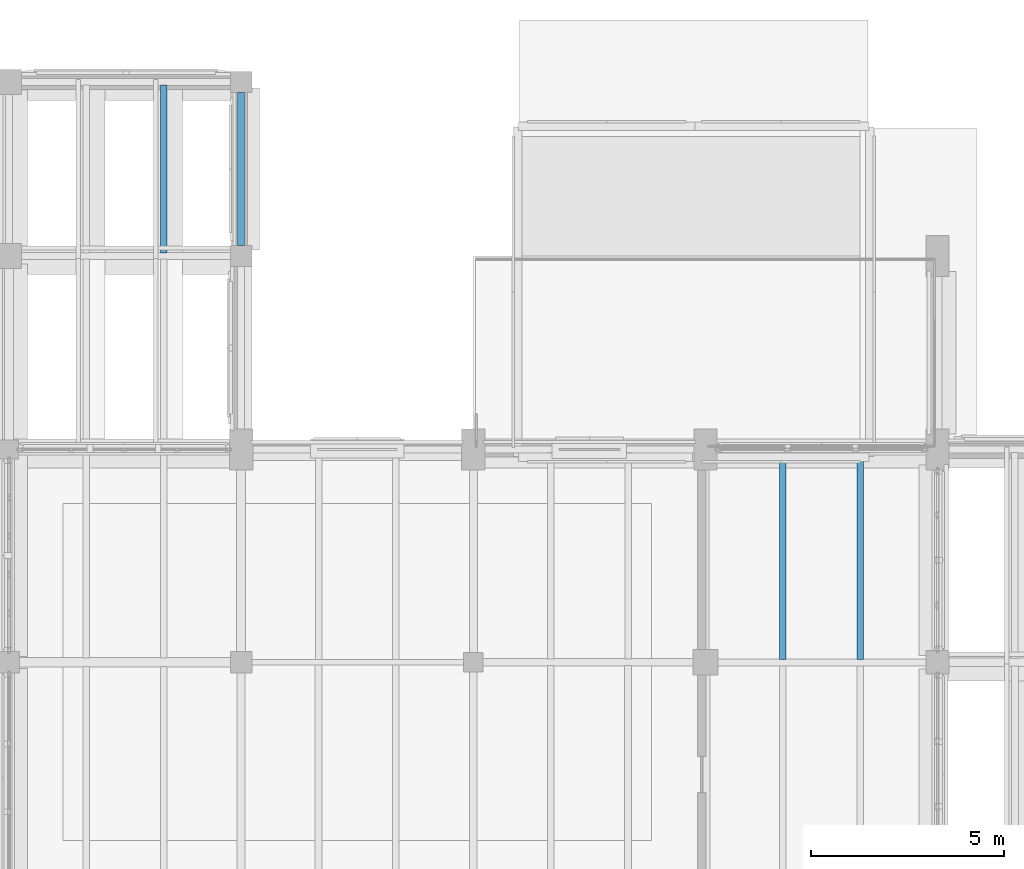
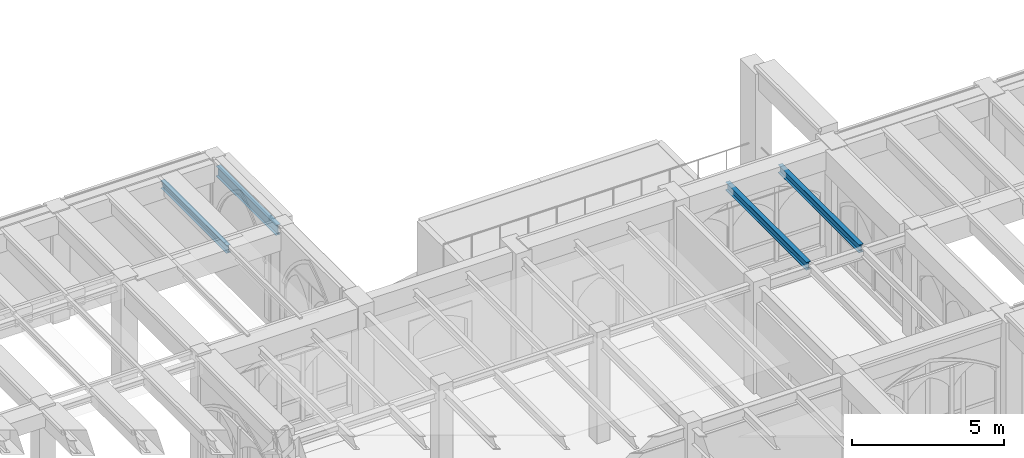
# One storey, part 57 of 127: 4 beams.
"""IFC4 building model written with IfcOpenShell, lengths in metres."""

from ifc_helpers import new_model, si_unit, direction, frame, origin, origin_2d, place, context, subcontext, project, spatial, i_section, extrude, material, material_profile, profile_set, type_object, element, save


model = new_model("IFC4")

# Units and contexts
model_context = context("Model", 3, precision=1e-05, world=origin(), true_north=direction((0.0, 1.0)))
body_context = subcontext(model_context, "Body", "Model", "MODEL_VIEW")
ifc_project = project(units=[si_unit("LENGTHUNIT", "METRE"), si_unit("AREAUNIT", "SQUARE_METRE"), si_unit("VOLUMEUNIT", "CUBIC_METRE"), si_unit("PLANEANGLEUNIT", "RADIAN"), si_unit("MASSUNIT", "GRAM", prefix="KILO")], contexts=[model_context])

# Site, building, storey
site_placement = place(None, origin())
site = spatial("IfcSite", under=ifc_project, at=site_placement, CompositionType="ELEMENT")
building_placement = place(site_placement, origin())
building = spatial("IfcBuilding", under=site, at=building_placement, Name="Cumevento Cable Car Station", CompositionType="ELEMENT")
storey_placement = place(building_placement, frame((0.0, 0.0, 4.5)))
storey = spatial("IfcBuildingStorey", under=building, at=storey_placement, Name="L02", CompositionType="ELEMENT", Elevation=4.5)

# Beams
ifc_material_1 = material(Name="Steel ASTM A572 Grade 50", Category="steel")
ifc_material_profile_1 = material_profile(ifc_material_1, i_section(OverallWidth=0.1669921875, OverallDepth=0.31689453125, WebThickness=0.007568359375, FlangeThickness=0.01318359375, at=origin_2d()), Name="W310x52.0")
ifc_profile_set_1 = profile_set([ifc_material_profile_1], Name="Steel ASTM A572 Grade 50")
beam_type_1 = type_object("IfcBeamType", Name="Structural Joist JS-02 W310x52.0", PredefinedType="JOIST", material=ifc_profile_set_1)
for number, where, z_axis, x_axis, name in (
    (1, (84.0, 51.077880859375, 4.10546875), (0.0, 1.0, 0.0), (-1.0, 0.0, 0.0), "Composite Floor Joist JS-02 L02 #831"),
    (2, (86.0, 51.077880859375, 4.10546875), (0.0, 1.0, 0.0), (-1.0, 0.0, 0.0), "Composite Floor Joist JS-02 L02 #833"),
):
    element("IfcBeam", number, at=place(storey_placement, frame(where, z_axis=z_axis, x_axis=x_axis)), inside=storey, type_object=beam_type_1, Name=name, PredefinedType="JOIST", context=body_context, shape_type="SweptSolid", body=[
        extrude(i_section(OverallWidth=0.1669921875, OverallDepth=0.31689453125, WebThickness=0.007568359375, FlangeThickness=0.01318359375, at=origin_2d()), origin(), (0.0, 0.0, 1.0), 5.34521484375),
    ])
ifc_material_2 = material(Name="Steel ASTM A572 Grade 50", Category="steel")
ifc_material_profile_2 = material_profile(ifc_material_2, i_section(OverallWidth=0.1650390625, OverallDepth=0.31005859375, WebThickness=0.005859375, FlangeThickness=0.009765625, at=origin_2d()), Name="W310x38.7")
ifc_profile_set_2 = profile_set([ifc_material_profile_2], Name="Steel ASTM A572 Grade 50")
beam_type_2 = type_object("IfcBeamType", Name="Structural Joist JS-03 W310x38.7", PredefinedType="JOIST", material=ifc_profile_set_2)
beam_1_placement = place(storey_placement, frame((68.0, 61.577880859375, 4.014892578125), z_axis=(0.0, 1.0, 0.0), x_axis=(-1.0, 0.0, 0.0)))
element("IfcBeam", 3, at=beam_1_placement, inside=storey, type_object=beam_type_2, Name="Composite Floor Joist JS-03 L02 #865", PredefinedType="JOIST", context=body_context, shape_type="SweptSolid", body=[
    extrude(i_section(OverallWidth=0.1650390625, OverallDepth=0.31005859375, WebThickness=0.005859375, FlangeThickness=0.009765625, at=origin_2d()), origin(), (0.0, 0.0, 1.0), 4.34521484375),
])
ifc_material_3 = material(Name="Steel ASTM A572 Grade 50", Category="steel")
ifc_material_profile_3 = material_profile(ifc_material_3, i_section(OverallWidth=0.177978515625, OverallDepth=0.406982421875, WebThickness=0.0078125, FlangeThickness=0.0126953125, at=origin_2d()), Name="W410x60.0")
ifc_profile_set_3 = profile_set([ifc_material_profile_3], Name="Steel ASTM A572 Grade 50")
beam_type_3 = type_object("IfcBeamType", Name="Structural Spandrel SP-01 W410x60.0", PredefinedType="SPANDREL", material=ifc_profile_set_3)
beam_2_placement = place(storey_placement, frame((70.0, 61.77490234375, 3.966552734375), z_axis=(0.0, 1.0, 0.0), x_axis=(-1.0, 0.0, 0.0)))
element("IfcBeam", 4, at=beam_2_placement, inside=storey, type_object=beam_type_3, Name="Beam SP-01 L02 #649", PredefinedType="SPANDREL", context=body_context, shape_type="SweptSolid", body=[
    extrude(i_section(OverallWidth=0.177978515625, OverallDepth=0.406982421875, WebThickness=0.0078125, FlangeThickness=0.0126953125, at=origin_2d()), origin(), (0.0, 0.0, 1.0), 3.9501953125),
])

save(model, "model.ifc")
